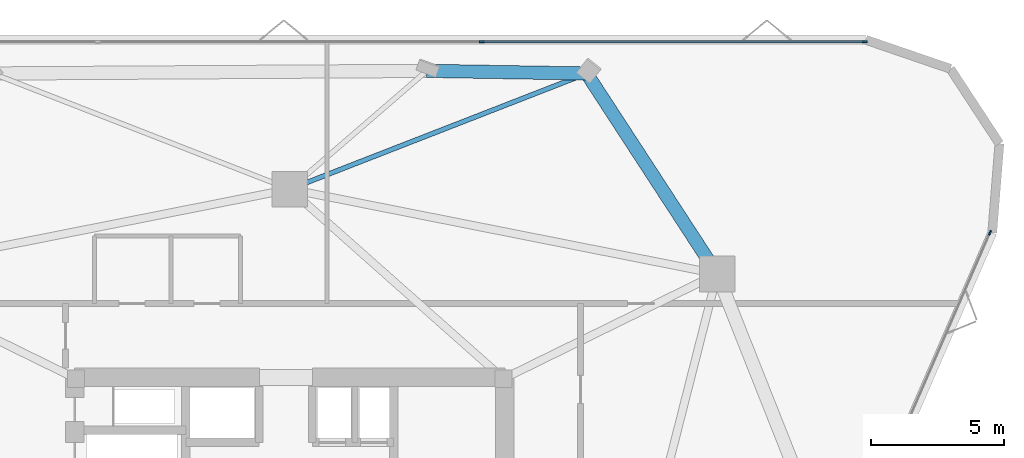
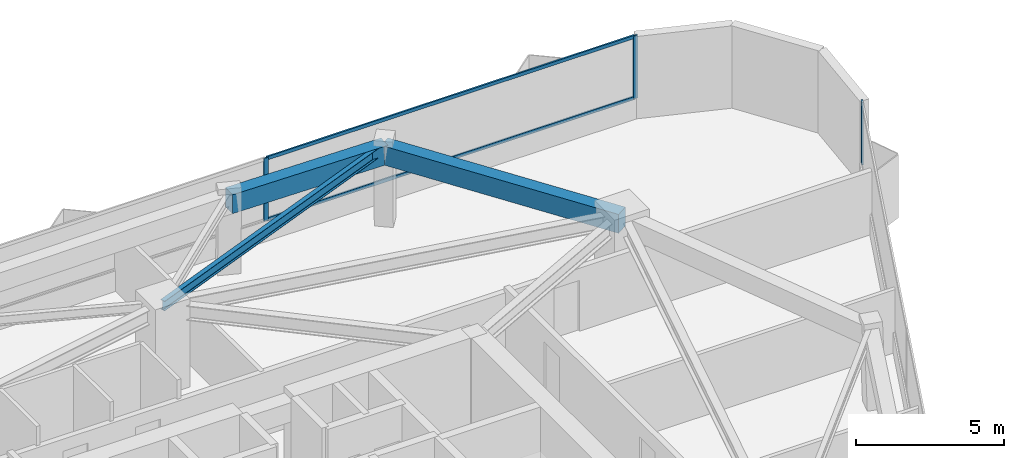
# One storey, part 8 of 12: 5 members, 3 beams, 2 elements without a shape of their own.
"""IFC4 building model written with IfcOpenShell, lengths in metres."""

from ifc_helpers import new_model, si_unit, direction, frame, origin, origin_2d, place, context, subcontext, project, spatial, rectangle, i_section, extrude, material, layer, layer_set, material_profile, profile_set, type_object, element, aggregate, save


model = new_model("IFC4")

# Units and contexts
model_context = context("Model", 3, precision=1e-05, world=origin(), true_north=direction((0.0, 1.0)))
body_context = subcontext(model_context, "Body", "Model", "MODEL_VIEW")
ifc_project = project(units=[si_unit("LENGTHUNIT", "METRE"), si_unit("AREAUNIT", "SQUARE_METRE"), si_unit("VOLUMEUNIT", "CUBIC_METRE"), si_unit("PLANEANGLEUNIT", "RADIAN"), si_unit("MASSUNIT", "GRAM", prefix="KILO")], contexts=[model_context])

# Site, building, storey
site_placement = place(None, origin())
site = spatial("IfcSite", under=ifc_project, at=site_placement, CompositionType="ELEMENT")
building_placement = place(site_placement, origin())
building = spatial("IfcBuilding", under=site, at=building_placement, Name="Talyreon Biosciences Tower", CompositionType="ELEMENT")
storey_placement = place(building_placement, frame((0.0, 0.0, 183.050048828125)))
storey = spatial("IfcBuildingStorey", under=building, at=storey_placement, Name="L48", CompositionType="ELEMENT", Elevation=183.050048828125)

# Curtain wall, members
ifc_material_1 = material(Name="Thermally broken aluminium and low-E glazing", Category="aluminium")
ifc_layer = layer(ifc_material_1, 0.179931640625)
ifc_layer_set = layer_set([ifc_layer], Name="Thermally broken aluminium and low-E glazing")
curtain_wall_type = type_object("IfcCurtainWallType", Name="CurtainWall_Zone4Optical", PredefinedType="NOTDEFINED", material=ifc_layer_set)
curtain_wall_1_placement = place(storey_placement, origin())
curtain_wall_1 = element("IfcCurtainWall", 1, at=curtain_wall_1_placement, inside=storey, type_object=curtain_wall_type, Name="L48 Unitised Curtain Wall FCW-L48-04", PredefinedType="NOTDEFINED")
ifc_material_2 = material(Name="Anodised thermally broken aluminium", Category="aluminium")
ifc_material_profile_1 = material_profile(ifc_material_2, rectangle(XDim=0.06494140625, YDim=0.179931640625, at=origin_2d()), Name="ALUM MULLION 65x180")
ifc_profile_set_1 = profile_set([ifc_material_profile_1], Name="Anodised thermally broken aluminium")
member_type_1 = type_object("IfcMemberType", Name="CWMullion_65x180", PredefinedType="MULLION", material=ifc_profile_set_1)
member_1_placement = place(storey_placement, frame((73.232177734375, 87.3388671875, 0.81005859375), z_axis=(0.0, 0.0, 1.0), x_axis=(0.0, 1.0, 0.0)))
member_1 = element("IfcMember", 2, at=member_1_placement, type_object=member_type_1, Name="CW5 mullion 3", PredefinedType="MULLION", context=body_context, shape_type="SweptSolid", body=[
    extrude(rectangle(XDim=0.06494140625, YDim=0.179931640625, at=origin_2d()), origin(), (0.0, 0.0, 1.0), 2.58984375),
])
member_2_placement = place(storey_placement, frame((87.663818359375, 87.3388671875, 0.81005859375), z_axis=(0.0, 0.0, 1.0), x_axis=(0.0, 1.0, 0.0)))
member_2 = element("IfcMember", 3, at=member_2_placement, type_object=member_type_1, Name="CW5 mullion 4", PredefinedType="MULLION", context=body_context, shape_type="SweptSolid", body=[
    extrude(rectangle(XDim=0.06494140625, YDim=0.179931640625, at=origin_2d()), origin(), (0.0, 0.0, 1.0), 2.58984375),
])

# Curtain wall, member
curtain_wall_2_placement = place(storey_placement, origin())
curtain_wall_2 = element("IfcCurtainWall", 4, at=curtain_wall_2_placement, inside=storey, type_object=curtain_wall_type, Name="L48 Unitised Curtain Wall FCW-L48-08", PredefinedType="NOTDEFINED")
member_3_placement = place(storey_placement, frame((92.377685546875, 80.145751953125, 0.81005859375), z_axis=(0.0, 0.0, 1.0), x_axis=(0.916912184291, -0.399089020519, 0.0)))
member_3 = element("IfcMember", 5, at=member_3_placement, type_object=member_type_1, Name="CW5 mullion 1", PredefinedType="MULLION", context=body_context, shape_type="SweptSolid", body=[
    extrude(rectangle(XDim=0.06494140625, YDim=0.179931640625, at=origin_2d()), origin(), (0.0, 0.0, 1.0), 2.58984375),
])
aggregate(curtain_wall_2, [member_3])

# Member
ifc_material_profile_2 = material_profile(ifc_material_2, rectangle(XDim=0.06494140625, YDim=0.139892578125, at=origin_2d()), Name="ALUM TRANSOM 65x140")
ifc_profile_set_2 = profile_set([ifc_material_profile_2], Name="Anodised thermally broken aluminium")
member_type_2 = type_object("IfcMemberType", Name="CWTransom_65x140", PredefinedType="USERDEFINED", material=ifc_profile_set_2)
member_4_placement = place(storey_placement, frame((73.2646484375, 87.3388671875, 0.842529296875), z_axis=(1.0, 0.0, 0.0), x_axis=(0.0, 1.0, 0.0)))
member_4 = element("IfcMember", 6, at=member_4_placement, type_object=member_type_2, Name="CW5 transom 3.1", ObjectType="TRANSOM", PredefinedType="USERDEFINED", context=body_context, shape_type="SweptSolid", body=[
    extrude(rectangle(XDim=0.06494140625, YDim=0.139892578125, at=origin_2d()), origin(), (0.0, 0.0, 1.0), 14.366455078125),
])

member_5_placement = place(storey_placement, frame((73.2646484375, 87.3388671875, 3.367431640625), z_axis=(1.0, 0.0, 0.0), x_axis=(0.0, 1.0, 0.0)))
member_5 = element("IfcMember", 7, at=member_5_placement, type_object=member_type_2, Name="CW5 transom 3.2", ObjectType="TRANSOM", PredefinedType="USERDEFINED", context=body_context, shape_type="SweptSolid", body=[
    extrude(rectangle(XDim=0.06494140625, YDim=0.139892578125, at=origin_2d()), origin(), (0.0, 0.0, 1.0), 14.366455078125),
])

aggregate(curtain_wall_1, [member_1, member_2, member_4, member_5])

# Beams
ifc_material_3 = material(Name="Precast concrete C45/55", Category="concrete")
ifc_material_profile_3 = material_profile(ifc_material_3, rectangle(XDim=0.5, YDim=0.780029296875, at=origin_2d()), Name="RCB 500x780")
ifc_profile_set_3 = profile_set([ifc_material_profile_3], Name="Precast concrete C45/55")
beam_type_1 = type_object("IfcBeamType", Name="ExpressedSpandrel_500x780", PredefinedType="SPANDREL", material=ifc_profile_set_3)
beam_1_placement = place(storey_placement, frame((82.102294921875, 78.5986328125, 3.010009765625), z_axis=(-0.545932938382, 0.837828876794, 0.0), x_axis=(-0.837828876794, -0.545932938382, 0.0)))
element("IfcBeam", 8, at=beam_1_placement, inside=storey, type_object=beam_type_1, Name="L48 Expressed Horizontal Concrete Spandrel 05", PredefinedType="SPANDREL", context=body_context, shape_type="SweptSolid", body=[
    extrude(rectangle(XDim=0.5, YDim=0.780029296875, at=origin_2d()), origin(), (0.0, 0.0, 1.0), 9.0087890625),
])
beam_2_placement = place(storey_placement, frame((77.18408203125, 86.146484375, 3.010009765625), z_axis=(-0.999861893196, 0.01661910148, 0.0), x_axis=(-0.01661910148, -0.999861893196, 0.0)))
element("IfcBeam", 9, at=beam_2_placement, inside=storey, type_object=beam_type_1, Name="L48 Expressed Horizontal Concrete Spandrel 06", PredefinedType="SPANDREL", context=body_context, shape_type="SweptSolid", body=[
    extrude(rectangle(XDim=0.5, YDim=0.780029296875, at=origin_2d()), origin(), (0.0, 0.0, 1.0), 6.02294921875),
])
ifc_material_4 = material(Name="Steel SM355", Category="steel")
ifc_material_profile_4 = material_profile(ifc_material_4, i_section(OverallWidth=0.179931640625, OverallDepth=0.39990234375, WebThickness=0.008544921875, FlangeThickness=0.013427734375, FilletRadius=0.02099609375, at=origin_2d()), Name="IPE400")
ifc_profile_set_4 = profile_set([ifc_material_profile_4], Name="Steel SM355")
beam_type_2 = type_object("IfcBeamType", Name="SteelJoist_IPE400", PredefinedType="JOIST", material=ifc_profile_set_4)
beam_3_placement = place(storey_placement, frame((66.0, 81.788818359375, 3.199951171875), z_axis=(0.931770869008, 0.363046894585, 0.0), x_axis=(-0.363046894585, 0.931770869008, 0.0)))
element("IfcBeam", 10, at=beam_3_placement, inside=storey, type_object=beam_type_2, Name="L48 Radial Composite Floor Joist PC-N1", PredefinedType="JOIST", context=body_context, shape_type="SweptSolid", body=[
    extrude(i_section(OverallWidth=0.179931640625, OverallDepth=0.39990234375, WebThickness=0.008544921875, FlangeThickness=0.013427734375, FilletRadius=0.02099609375, at=origin_2d()), origin(), (0.0, 0.0, 1.0), 12.0029296875),
])

save(model, "model.ifc")
